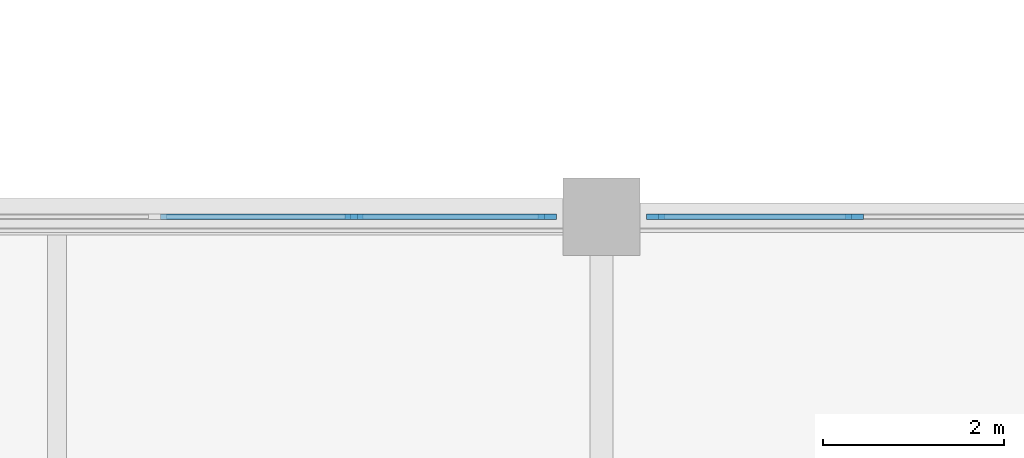
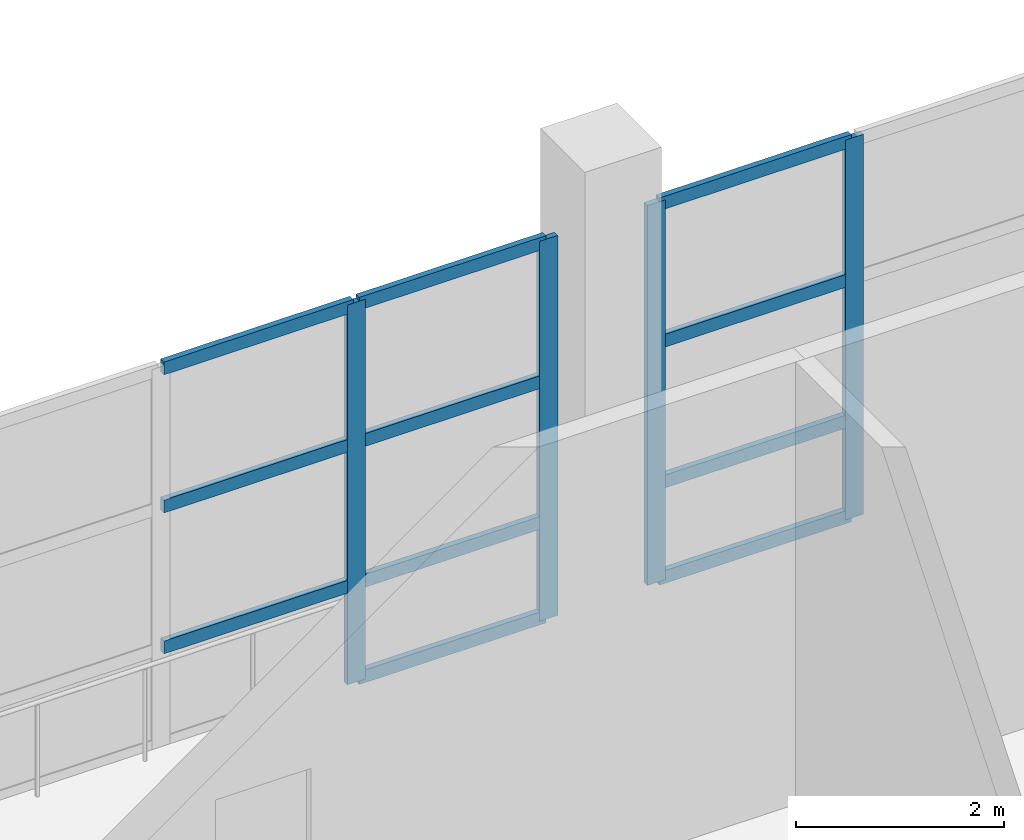
# One storey, part 13 of 49: 15 members, 2 elements without a shape of their own.
"""IFC4 building model written with IfcOpenShell, lengths in metres."""

from ifc_helpers import new_model, si_unit, direction, frame, origin, origin_2d, place, context, subcontext, project, spatial, rectangle, extrude, material, material_profile, profile_set, type_object, element, aggregate, save


model = new_model("IFC4")

# Units and contexts
model_context = context("Model", 3, precision=1e-05, world=origin(), true_north=direction((0.0, 1.0)))
body_context = subcontext(model_context, "Body", "Model", "MODEL_VIEW")
ifc_project = project(units=[si_unit("LENGTHUNIT", "METRE"), si_unit("AREAUNIT", "SQUARE_METRE"), si_unit("VOLUMEUNIT", "CUBIC_METRE"), si_unit("PLANEANGLEUNIT", "RADIAN"), si_unit("MASSUNIT", "GRAM", prefix="KILO")], contexts=[model_context])

# Site, building, storey
site_placement = place(None, origin())
site = spatial("IfcSite", under=ifc_project, at=site_placement, CompositionType="ELEMENT")
building_placement = place(site_placement, origin())
building = spatial("IfcBuilding", under=site, at=building_placement, Name="Luwafu Chhajja Arena", CompositionType="ELEMENT")
storey_placement = place(building_placement, frame((0.0, 0.0, 24.300048828125)))
storey = spatial("IfcBuildingStorey", under=building, at=storey_placement, Name="L05", CompositionType="ELEMENT", Elevation=24.300048828125)

# Curtain wall, members
ifc_material = material(Name="Anodised bronze aluminium", Category="aluminium")
curtain_wall_type = type_object("IfcCurtainWallType", Name="VIP Club Terrace Curtain Wall", PredefinedType="USERDEFINED", material=ifc_material)
curtain_wall_1_placement = place(storey_placement, origin())
curtain_wall_1 = element("IfcCurtainWall", 1, at=curtain_wall_1_placement, inside=storey, type_object=curtain_wall_type, Name="L05 Bowl Viewing Curtain Wall CWR-L05-03", ObjectType="CURTAIN WALL", PredefinedType="USERDEFINED")
ifc_material_profile_1 = material_profile(ifc_material, rectangle(XDim=0.06494140625, YDim=0.199951171875, at=origin_2d()), Name="CWM 65x200")
ifc_profile_set_1 = profile_set([ifc_material_profile_1], Name="Anodised bronze aluminium")
member_type_1 = type_object("IfcMemberType", Name="Bronze Curtain Wall Mullion 65x200", PredefinedType="MULLION", material=ifc_profile_set_1)
member_1_placement = place(storey_placement, frame((91.27099609375, 22.0, 0.0), z_axis=(0.0, 0.0, 1.0), x_axis=(0.0, 1.0, 0.0)))
member_1 = element("IfcMember", 2, at=member_1_placement, type_object=member_type_1, Name="CW-10 mullion 5", PredefinedType="MULLION", context=body_context, shape_type="SweptSolid", body=[
    extrude(rectangle(XDim=0.06494140625, YDim=0.199951171875, at=origin_2d()), origin(), (0.0, 0.0, 1.0), 4.449951171875),
])
member_2_placement = place(storey_placement, frame((93.402587890625, 22.0, 0.0), z_axis=(0.0, 0.0, 1.0), x_axis=(0.0, 1.0, 0.0)))
member_2 = element("IfcMember", 3, at=member_2_placement, type_object=member_type_1, Name="CW-10 mullion 6", PredefinedType="MULLION", context=body_context, shape_type="SweptSolid", body=[
    extrude(rectangle(XDim=0.06494140625, YDim=0.199951171875, at=origin_2d()), origin(), (0.0, 0.0, 1.0), 4.449951171875),
])

curtain_wall_2_placement = place(storey_placement, origin())
curtain_wall_2 = element("IfcCurtainWall", 4, at=curtain_wall_2_placement, inside=storey, type_object=curtain_wall_type, Name="L05 Bowl Viewing Curtain Wall CWR-L05-04", ObjectType="CURTAIN WALL", PredefinedType="USERDEFINED")
member_3_placement = place(storey_placement, frame((94.597412109375, 22.0, 0.0), z_axis=(0.0, 0.0, 1.0), x_axis=(0.0, 1.0, 0.0)))
member_3 = element("IfcMember", 5, at=member_3_placement, type_object=member_type_1, Name="CW-10 mullion 1", PredefinedType="MULLION", context=body_context, shape_type="SweptSolid", body=[
    extrude(rectangle(XDim=0.06494140625, YDim=0.199951171875, at=origin_2d()), origin(), (0.0, 0.0, 1.0), 4.449951171875),
])
member_4_placement = place(storey_placement, frame((96.788818359375, 22.0, 0.0), z_axis=(0.0, 0.0, 1.0), x_axis=(0.0, 1.0, 0.0)))
member_4 = element("IfcMember", 6, at=member_4_placement, type_object=member_type_1, Name="CW-10 mullion 2", PredefinedType="MULLION", context=body_context, shape_type="SweptSolid", body=[
    extrude(rectangle(XDim=0.06494140625, YDim=0.199951171875, at=origin_2d()), origin(), (0.0, 0.0, 1.0), 4.449951171875),
])

# Member
ifc_material_profile_2 = material_profile(ifc_material, rectangle(XDim=0.06494140625, YDim=0.14990234375, at=origin_2d()), Name="CWT 65x150")
ifc_profile_set_2 = profile_set([ifc_material_profile_2], Name="Anodised bronze aluminium")
member_type_2 = type_object("IfcMemberType", Name="Bronze Curtain Wall Transom 65x150", PredefinedType="USERDEFINED", material=ifc_profile_set_2)
member_5_placement = place(storey_placement, frame((89.139404296875, 22.0, 1.14990234375), z_axis=(1.0, 0.0, 0.0), x_axis=(0.0, 1.0, 0.0)))
member_5 = element("IfcMember", 7, at=member_5_placement, type_object=member_type_2, Name="CW-10 transom 4.2", ObjectType="TRANSOM", PredefinedType="USERDEFINED", context=body_context, shape_type="SweptSolid", body=[
    extrude(rectangle(XDim=0.06494140625, YDim=0.14990234375, at=origin_2d()), origin(), (0.0, 0.0, 1.0), 2.09912109375),
])

member_6_placement = place(storey_placement, frame((89.139404296875, 22.0, 2.800048828125), z_axis=(1.0, 0.0, 0.0), x_axis=(0.0, 1.0, 0.0)))
member_6 = element("IfcMember", 8, at=member_6_placement, type_object=member_type_2, Name="CW-10 transom 4.3", ObjectType="TRANSOM", PredefinedType="USERDEFINED", context=body_context, shape_type="SweptSolid", body=[
    extrude(rectangle(XDim=0.06494140625, YDim=0.14990234375, at=origin_2d()), origin(), (0.0, 0.0, 1.0), 2.09912109375),
])

member_7_placement = place(storey_placement, frame((89.139404296875, 22.0, 4.41748046875), z_axis=(1.0, 0.0, 0.0), x_axis=(0.0, 1.0, 0.0)))
member_7 = element("IfcMember", 9, at=member_7_placement, type_object=member_type_2, Name="CW-10 transom 4.4", ObjectType="TRANSOM", PredefinedType="USERDEFINED", context=body_context, shape_type="SweptSolid", body=[
    extrude(rectangle(XDim=0.06494140625, YDim=0.14990234375, at=origin_2d()), origin(), (0.0, 0.0, 1.0), 2.09912109375),
])

member_8_placement = place(storey_placement, frame((91.303466796875, 22.0, 0.032470703125), z_axis=(1.0, 0.0, 0.0), x_axis=(0.0, 1.0, 0.0)))
member_8 = element("IfcMember", 10, at=member_8_placement, type_object=member_type_2, Name="CW-10 transom 5.1", ObjectType="TRANSOM", PredefinedType="USERDEFINED", context=body_context, shape_type="SweptSolid", body=[
    extrude(rectangle(XDim=0.06494140625, YDim=0.14990234375, at=origin_2d()), origin(), (0.0, 0.0, 1.0), 2.066650390625),
])

member_9_placement = place(storey_placement, frame((91.303466796875, 22.0, 1.14990234375), z_axis=(1.0, 0.0, 0.0), x_axis=(0.0, 1.0, 0.0)))
member_9 = element("IfcMember", 11, at=member_9_placement, type_object=member_type_2, Name="CW-10 transom 5.2", ObjectType="TRANSOM", PredefinedType="USERDEFINED", context=body_context, shape_type="SweptSolid", body=[
    extrude(rectangle(XDim=0.06494140625, YDim=0.14990234375, at=origin_2d()), origin(), (0.0, 0.0, 1.0), 2.066650390625),
])

member_10_placement = place(storey_placement, frame((91.303466796875, 22.0, 2.800048828125), z_axis=(1.0, 0.0, 0.0), x_axis=(0.0, 1.0, 0.0)))
member_10 = element("IfcMember", 12, at=member_10_placement, type_object=member_type_2, Name="CW-10 transom 5.3", ObjectType="TRANSOM", PredefinedType="USERDEFINED", context=body_context, shape_type="SweptSolid", body=[
    extrude(rectangle(XDim=0.06494140625, YDim=0.14990234375, at=origin_2d()), origin(), (0.0, 0.0, 1.0), 2.066650390625),
])

member_11_placement = place(storey_placement, frame((91.303466796875, 22.0, 4.41748046875), z_axis=(1.0, 0.0, 0.0), x_axis=(0.0, 1.0, 0.0)))
member_11 = element("IfcMember", 13, at=member_11_placement, type_object=member_type_2, Name="CW-10 transom 5.4", ObjectType="TRANSOM", PredefinedType="USERDEFINED", context=body_context, shape_type="SweptSolid", body=[
    extrude(rectangle(XDim=0.06494140625, YDim=0.14990234375, at=origin_2d()), origin(), (0.0, 0.0, 1.0), 2.066650390625),
])

aggregate(curtain_wall_1, [member_1, member_2, member_5, member_6, member_7, member_8, member_9, member_10, member_11])

member_12_placement = place(storey_placement, frame((94.6298828125, 22.0, 0.032470703125), z_axis=(1.0, 0.0, 0.0), x_axis=(0.0, 1.0, 0.0)))
member_12 = element("IfcMember", 14, at=member_12_placement, type_object=member_type_2, Name="CW-10 transom 1.1", ObjectType="TRANSOM", PredefinedType="USERDEFINED", context=body_context, shape_type="SweptSolid", body=[
    extrude(rectangle(XDim=0.06494140625, YDim=0.14990234375, at=origin_2d()), origin(), (0.0, 0.0, 1.0), 2.12646484375),
])

member_13_placement = place(storey_placement, frame((94.6298828125, 22.0, 1.14990234375), z_axis=(1.0, 0.0, 0.0), x_axis=(0.0, 1.0, 0.0)))
member_13 = element("IfcMember", 15, at=member_13_placement, type_object=member_type_2, Name="CW-10 transom 1.2", ObjectType="TRANSOM", PredefinedType="USERDEFINED", context=body_context, shape_type="SweptSolid", body=[
    extrude(rectangle(XDim=0.06494140625, YDim=0.14990234375, at=origin_2d()), origin(), (0.0, 0.0, 1.0), 2.12646484375),
])

member_14_placement = place(storey_placement, frame((94.6298828125, 22.0, 2.800048828125), z_axis=(1.0, 0.0, 0.0), x_axis=(0.0, 1.0, 0.0)))
member_14 = element("IfcMember", 16, at=member_14_placement, type_object=member_type_2, Name="CW-10 transom 1.3", ObjectType="TRANSOM", PredefinedType="USERDEFINED", context=body_context, shape_type="SweptSolid", body=[
    extrude(rectangle(XDim=0.06494140625, YDim=0.14990234375, at=origin_2d()), origin(), (0.0, 0.0, 1.0), 2.12646484375),
])

member_15_placement = place(storey_placement, frame((94.6298828125, 22.0, 4.41748046875), z_axis=(1.0, 0.0, 0.0), x_axis=(0.0, 1.0, 0.0)))
member_15 = element("IfcMember", 17, at=member_15_placement, type_object=member_type_2, Name="CW-10 transom 1.4", ObjectType="TRANSOM", PredefinedType="USERDEFINED", context=body_context, shape_type="SweptSolid", body=[
    extrude(rectangle(XDim=0.06494140625, YDim=0.14990234375, at=origin_2d()), origin(), (0.0, 0.0, 1.0), 2.12646484375),
])

aggregate(curtain_wall_2, [member_3, member_4, member_12, member_13, member_14, member_15])

save(model, "model.ifc")
